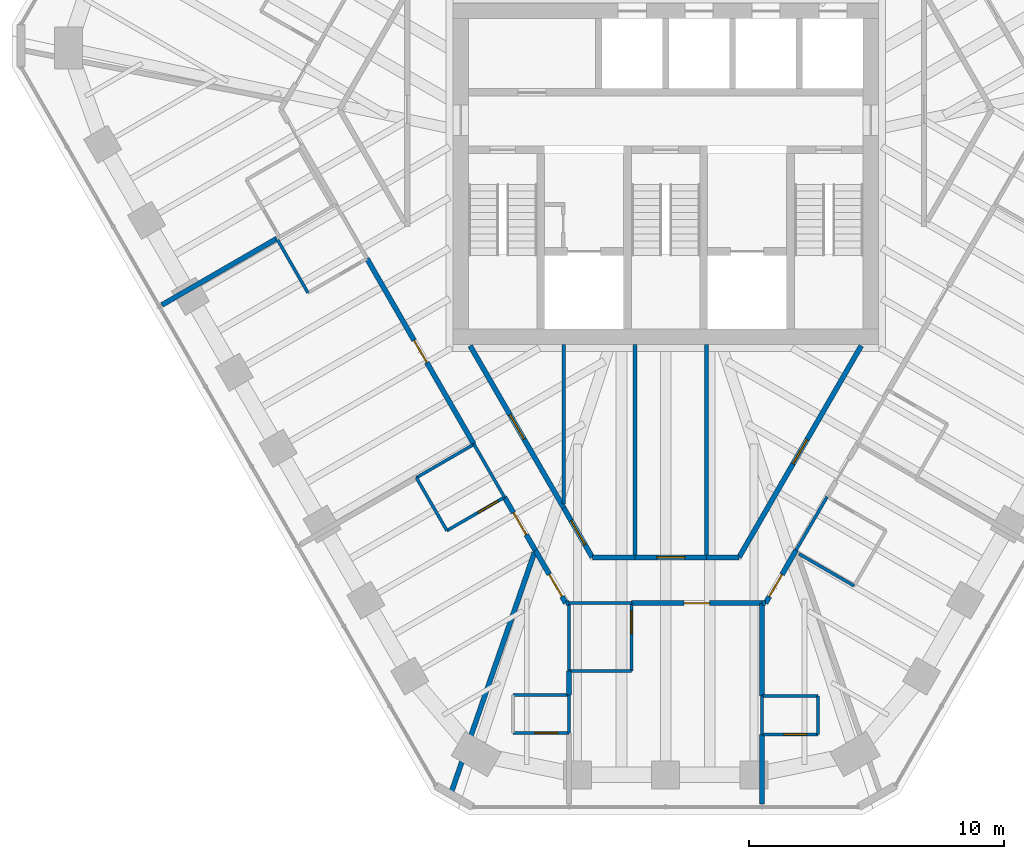
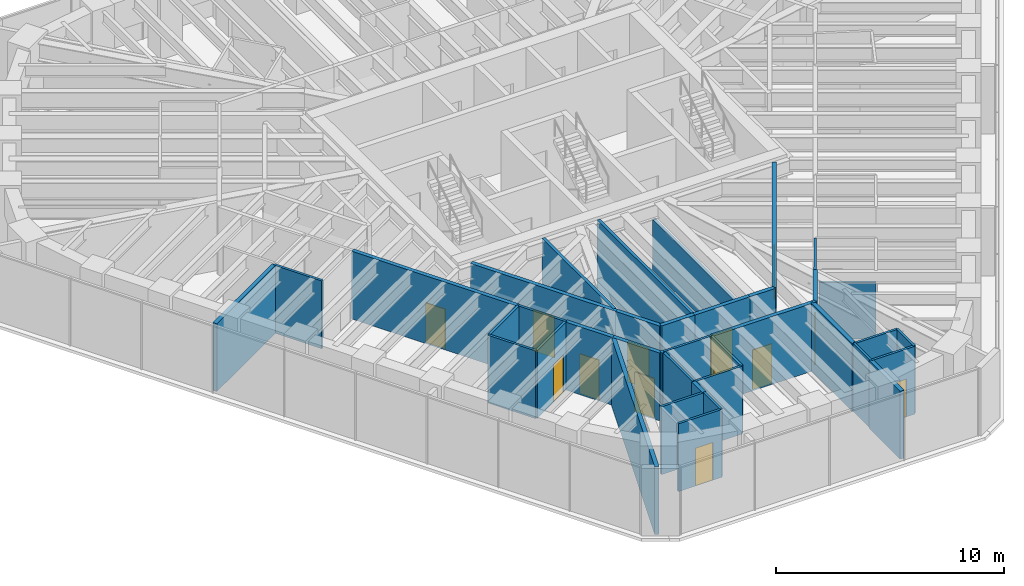
# One storey, part 9 of 14: 39 walls, 13 doors, 13 openings.
"""IFC4 building model written with IfcOpenShell, lengths in metres."""

from ifc_helpers import new_model, si_unit, direction, frame, frame_2d, origin, place, context, subcontext, project, spatial, rectangle, extrude, material, layer, layer_set, type_object, element, fill, save


model = new_model("IFC4")

# Units and contexts
model_context = context("Model", 3, precision=1e-05, world=origin(), true_north=direction((0.0, 1.0)))
body_context = subcontext(model_context, "Body", "Model", "MODEL_VIEW")
ifc_project = project(units=[si_unit("LENGTHUNIT", "METRE"), si_unit("AREAUNIT", "SQUARE_METRE"), si_unit("VOLUMEUNIT", "CUBIC_METRE"), si_unit("PLANEANGLEUNIT", "RADIAN"), si_unit("MASSUNIT", "GRAM", prefix="KILO")], contexts=[model_context])

# Site, building, storey
site_placement = place(None, origin())
site = spatial("IfcSite", under=ifc_project, at=site_placement, CompositionType="ELEMENT")
building_placement = place(site_placement, origin())
building = spatial("IfcBuilding", under=site, at=building_placement, Name="Sandreach Pilgrim Tower", CompositionType="ELEMENT")
storey_placement = place(building_placement, frame((0.0, 0.0, 295.0)))
storey = spatial("IfcBuildingStorey", under=building, at=storey_placement, Name="L74", CompositionType="ELEMENT", Elevation=295.0)

# Walls
ifc_material_1 = material(Name="Gypsum board on steel studs", Category="steel")
ifc_layer_1 = layer(ifc_material_1, 0.14990234375)
ifc_layer_set_1 = layer_set([ifc_layer_1], Name="Back of house wall 150")
wall_type_1 = type_object("IfcWallType", Name="Back of house wall 150", PredefinedType="PARTITIONING", material=ifc_layer_set_1)
wall_1_placement = place(storey_placement, frame((-4.0, -6.699951171875, 0.0), z_axis=(0.0, 0.0, 1.0), x_axis=(0.0, -1.0, 0.0)))
element("IfcWall", 1, at=wall_1_placement, inside=storey, type_object=wall_type_1, Name="Back of house wall L74-049", PredefinedType="PARTITIONING", context=body_context, shape_type="SweptSolid", body=[
    extrude(rectangle(XDim=6.26513671875, YDim=0.14990234375, at=frame_2d((3.132568359375, 0.0))), origin(), (0.0, 0.0, 1.0), 3.639892578125),
])
wall_2_placement = place(storey_placement, frame((-1.199951171875, -6.699951171875, 0.0), z_axis=(0.0, 0.0, 1.0), x_axis=(0.0, -1.0, 0.0)))
element("IfcWall", 2, at=wall_2_placement, inside=storey, type_object=wall_type_1, Name="Back of house wall L74-063", PredefinedType="PARTITIONING", context=body_context, shape_type="SweptSolid", body=[
    extrude(rectangle(XDim=8.360107421875, YDim=0.14990234375, at=frame_2d((4.18017578125, 0.0))), origin(), (0.0, 0.0, 1.0), 3.639892578125),
])
wall_3_placement = place(storey_placement, frame((1.60009765625, -6.699951171875, 0.0), z_axis=(0.0, 0.0, 1.0), x_axis=(0.0, -1.0, 0.0)))
element("IfcWall", 3, at=wall_3_placement, inside=storey, type_object=wall_type_1, Name="Back of house wall L74-069", PredefinedType="PARTITIONING", context=body_context, shape_type="SweptSolid", body=[
    extrude(rectangle(XDim=8.360107421875, YDim=0.14990234375, at=frame_2d((4.18017578125, 0.0))), origin(), (0.0, 0.0, 1.0), 2.712890625),
])
ifc_material_2 = material(Name="Moisture-resistant gypsum board on steel studs", Category="steel")
ifc_layer_2 = layer(ifc_material_2, 0.1201171875)
ifc_layer_set_2 = layer_set([ifc_layer_2], Name="Bathroom partition 120")
wall_type_2 = type_object("IfcWallType", Name="Bathroom partition 120", PredefinedType="PARTITIONING", material=ifc_layer_set_2)
wall_4_placement = place(storey_placement, frame((-15.27001953125, -2.5400390625, 0.0), z_axis=(0.0, 0.0, 1.0), x_axis=(0.497027744361, -0.86773464915, 0.0)))
element("IfcWall", 4, at=wall_4_placement, inside=storey, type_object=wall_type_2, Name="Bathroom partition L74-008", PredefinedType="PARTITIONING", context=body_context, shape_type="SweptSolid", body=[
    extrude(rectangle(XDim=2.45458984375, YDim=0.1201171875, at=frame_2d((1.227294921875, 0.0))), origin(), (0.0, 0.0, 1.0), 3.639892578125),
])
wall_5_placement = place(storey_placement, frame((-9.7900390625, -11.929931640625, 0.0), z_axis=(0.0, 0.0, 1.0), x_axis=(0.499693115345, -0.866202511239, 0.0)))
element("IfcWall", 5, at=wall_5_placement, inside=storey, type_object=wall_type_2, Name="Bathroom partition L74-031", PredefinedType="PARTITIONING", context=body_context, shape_type="SweptSolid", body=[
    extrude(rectangle(XDim=2.4013671875, YDim=0.1201171875, at=frame_2d((1.20068359375, 0.0))), origin(), (0.0, 0.0, 1.0), 3.639892578125),
])
wall_6_placement = place(storey_placement, frame((-9.7900390625, -11.929931640625, 0.0), z_axis=(0.0, 0.0, 1.0), x_axis=(0.865195830568, 0.501434118073, 0.0)))
element("IfcWall", 6, at=wall_6_placement, inside=storey, type_object=wall_type_2, Name="Bathroom partition L74-032", PredefinedType="PARTITIONING", context=body_context, shape_type="SweptSolid", body=[
    extrude(rectangle(XDim=2.612060546875, YDim=0.1201171875, at=frame_2d((1.30615234375, 0.0))), origin(), (0.0, 0.0, 1.0), 3.639892578125),
])

# Wall, opening, door
wall_7_placement = place(storey_placement, frame((-8.590087890625, -14.010009765625, 0.0), z_axis=(0.0, 0.0, 1.0), x_axis=(0.865155281359, 0.50150407689, 0.0)))
wall_7 = element("IfcWall", 7, at=wall_7_placement, inside=storey, type_object=wall_type_2, Name="Bathroom partition L74-033", PredefinedType="PARTITIONING", context=body_context, shape_type="SweptSolid", body=[
    extrude(rectangle(XDim=2.6123046875, YDim=0.1201171875, at=frame_2d((1.30615234375, 0.0))), origin(), (0.0, 0.0, 1.0), 3.639892578125),
])
opening_1_placement = place(wall_7_placement, frame((1.412109375, 0.0, 0.0)))
opening_1 = element("IfcOpeningElement", 8, at=opening_1_placement, cuts=wall_7, Name="Opening D09-13B", PredefinedType="OPENING", context=body_context, shape_type="SweptSolid", body=[
    extrude(rectangle(XDim=0.89990234375, YDim=2.030029296875, at=frame_2d((0.449951171875, 1.01513671875))), frame((0.0, 0.06005859375, 0.0), z_axis=(0.0, -1.0, 0.0), x_axis=(1.0, 0.0, 0.0)), (0.0, 0.0, 1.0), 0.1201171875),
])
ifc_material_3 = material(Name="Timber door, steel frame", Category="steel")
door_type_1 = type_object("IfcDoorType", Name="Bathroom door", OperationType="SINGLE_SWING_LEFT", PredefinedType="DOOR", material=ifc_material_3)
door_1_placement = place(opening_1_placement, origin())
door_1 = element("IfcDoor", 9, at=door_1_placement, inside=storey, type_object=door_type_1, Name="Door 7413B", OperationType="SINGLE_SWING_RIGHT", OverallHeight=2.030029296875, OverallWidth=0.89990234375, PredefinedType="DOOR", context=body_context, shape_type="SweptSolid", body=[
    extrude(rectangle(XDim=0.89990234375, YDim=2.030029296875, at=frame_2d((0.449951171875, 1.01513671875))), frame((0.0, 0.02490234375, 0.0), z_axis=(0.0, -1.0, 0.0), x_axis=(1.0, 0.0, 0.0)), (0.0, 0.0, 1.0), 0.050048828125),
])
fill(opening_1, door_1)

# Wall
wall_8_placement = place(storey_placement, frame((-7.530029296875, -10.6201171875, 0.0), z_axis=(0.0, 0.0, 1.0), x_axis=(0.499737123639, -0.866177122335, 0.0)))
element("IfcWall", 10, at=wall_8_placement, inside=storey, type_object=wall_type_2, Name="Bathroom partition L74-039", PredefinedType="PARTITIONING", context=body_context, shape_type="SweptSolid", body=[
    extrude(rectangle(XDim=2.401123046875, YDim=0.1201171875, at=frame_2d((1.20068359375, 0.0))), origin(), (0.0, 0.0, 1.0), 3.639892578125),
])

# Wall, opening, door
wall_9_placement = place(storey_placement, frame((-5.989990234375, -21.9599609375, 0.0), z_axis=(0.0, 0.0, 1.0), x_axis=(1.0, 0.0, 0.0)))
wall_9 = element("IfcWall", 11, at=wall_9_placement, inside=storey, type_object=wall_type_2, Name="Bathroom partition L74-042", PredefinedType="PARTITIONING", context=body_context, shape_type="SweptSolid", body=[
    extrude(rectangle(XDim=2.199951171875, YDim=0.1201171875, at=frame_2d((1.10009765625, 0.0))), origin(), (0.0, 0.0, 1.0), 3.639892578125),
])
opening_2_placement = place(wall_9_placement, frame((0.85009765625, 0.0, 0.0)))
opening_2 = element("IfcOpeningElement", 12, at=opening_2_placement, cuts=wall_9, Name="Opening D09-12B", PredefinedType="OPENING", context=body_context, shape_type="SweptSolid", body=[
    extrude(rectangle(XDim=0.89990234375, YDim=2.030029296875, at=frame_2d((0.449951171875, 1.01513671875))), frame((0.0, 0.06005859375, 0.0), z_axis=(0.0, -1.0, 0.0), x_axis=(1.0, 0.0, 0.0)), (0.0, 0.0, 1.0), 0.1201171875),
])
door_2_placement = place(opening_2_placement, origin())
door_2 = element("IfcDoor", 13, at=door_2_placement, inside=storey, type_object=door_type_1, Name="Door 7412B", OperationType="SINGLE_SWING_RIGHT", OverallHeight=2.030029296875, OverallWidth=0.89990234375, PredefinedType="DOOR", context=body_context, shape_type="SweptSolid", body=[
    extrude(rectangle(XDim=0.89990234375, YDim=2.030029296875, at=frame_2d((0.449951171875, 1.01513671875))), frame((0.0, 0.02490234375, 0.0), z_axis=(0.0, -1.0, 0.0), x_axis=(1.0, 0.0, 0.0)), (0.0, 0.0, 1.0), 0.050048828125),
])
fill(opening_2, door_2)

# Walls
wall_10_placement = place(storey_placement, frame((-3.7900390625, -21.9599609375, 0.0), z_axis=(0.0, 0.0, 1.0), x_axis=(0.0, 1.0, 0.0)))
element("IfcWall", 14, at=wall_10_placement, inside=storey, type_object=wall_type_2, Name="Bathroom partition L74-052", PredefinedType="PARTITIONING", context=body_context, shape_type="SweptSolid", body=[
    extrude(rectangle(XDim=1.5, YDim=0.1201171875, at=frame_2d((0.75, 0.0))), origin(), (0.0, 0.0, 1.0), 3.639892578125),
])
wall_11_placement = place(storey_placement, frame((-3.7900390625, -20.4599609375, 0.0), z_axis=(0.0, 0.0, 1.0), x_axis=(-1.0, 0.0, 0.0)))
element("IfcWall", 15, at=wall_11_placement, inside=storey, type_object=wall_type_2, Name="Bathroom partition L74-053", PredefinedType="PARTITIONING", context=body_context, shape_type="SweptSolid", body=[
    extrude(rectangle(XDim=2.199951171875, YDim=0.1201171875, at=frame_2d((1.10009765625, 0.0))), origin(), (0.0, 0.0, 1.0), 3.639892578125),
])
wall_12_placement = place(storey_placement, frame((-3.7900390625, -19.530029296875, 0.0), z_axis=(0.0, 0.0, 1.0), x_axis=(0.0, 1.0, 0.0)))
element("IfcWall", 16, at=wall_12_placement, inside=storey, type_object=wall_type_2, Name="Bathroom partition L74-055", PredefinedType="PARTITIONING", context=body_context, shape_type="SweptSolid", body=[
    extrude(rectangle(XDim=2.669921875, YDim=0.1201171875, at=frame_2d((1.3349609375, 0.0))), origin(), (0.0, 0.0, 1.0), 3.639892578125),
])
for number, where, z_axis, x_axis, name in (
    (17, (-3.7900390625, -19.530029296875, 0.0), (0.0, 0.0, 1.0), (1.0, 0.0, 0.0), "Bathroom partition L74-056"),
    (18, (-3.7900390625, -16.860107421875, 0.0), (0.0, 0.0, 1.0), (1.0, 0.0, 0.0), "Bathroom partition L74-057"),
):
    element("IfcWall", number, at=place(storey_placement, frame(where, z_axis=z_axis, x_axis=x_axis)), inside=storey, type_object=wall_type_2, Name=name, PredefinedType="PARTITIONING", context=body_context, shape_type="SweptSolid", body=[
        extrude(rectangle(XDim=2.449951171875, YDim=0.1201171875, at=frame_2d((1.22509765625, 0.0))), origin(), (0.0, 0.0, 1.0), 3.639892578125),
    ])

# Wall, opening, door
wall_13_placement = place(storey_placement, frame((-1.340087890625, -19.530029296875, 0.0), z_axis=(0.0, 0.0, 1.0), x_axis=(0.0, 1.0, 0.0)))
wall_13 = element("IfcWall", 19, at=wall_13_placement, inside=storey, type_object=wall_type_2, Name="Bathroom partition L74-060", PredefinedType="PARTITIONING", context=body_context, shape_type="SweptSolid", body=[
    extrude(rectangle(XDim=2.669921875, YDim=0.1201171875, at=frame_2d((1.3349609375, 0.0))), origin(), (0.0, 0.0, 1.0), 3.639892578125),
])
opening_3_placement = place(wall_13_placement, frame((1.469970703125, 0.0, 0.0)))
opening_3 = element("IfcOpeningElement", 20, at=opening_3_placement, cuts=wall_13, Name="Opening D09-11B", PredefinedType="OPENING", context=body_context, shape_type="SweptSolid", body=[
    extrude(rectangle(XDim=0.89990234375, YDim=2.030029296875, at=frame_2d((0.449951171875, 1.01513671875))), frame((0.0, 0.06005859375, 0.0), z_axis=(0.0, -1.0, 0.0), x_axis=(1.0, 0.0, 0.0)), (0.0, 0.0, 1.0), 0.1201171875),
])
door_3_placement = place(opening_3_placement, origin())
door_3 = element("IfcDoor", 21, at=door_3_placement, inside=storey, type_object=door_type_1, Name="Door 7411B", OperationType="SINGLE_SWING_RIGHT", OverallHeight=2.030029296875, OverallWidth=0.89990234375, PredefinedType="DOOR", context=body_context, shape_type="SweptSolid", body=[
    extrude(rectangle(XDim=0.89990234375, YDim=2.030029296875, at=frame_2d((0.449951171875, 1.01513671875))), frame((0.0, 0.02490234375, 0.0), z_axis=(0.0, -1.0, 0.0), x_axis=(1.0, 0.0, 0.0)), (0.0, 0.0, 1.0), 0.050048828125),
])
fill(opening_3, door_3)

# Wall
wall_14_placement = place(storey_placement, frame((3.7900390625, -22.010009765625, 0.0), z_axis=(0.0, 0.0, 1.0), x_axis=(0.0, 1.0, 0.0)))
element("IfcWall", 22, at=wall_14_placement, inside=storey, type_object=wall_type_2, Name="Bathroom partition L74-074", PredefinedType="PARTITIONING", context=body_context, shape_type="SweptSolid", body=[
    extrude(rectangle(XDim=1.5, YDim=0.1201171875, at=frame_2d((0.75, 0.0))), origin(), (0.0, 0.0, 1.0), 3.639892578125),
])

# Wall, opening, door
wall_15_placement = place(storey_placement, frame((3.7900390625, -22.010009765625, 0.0), z_axis=(0.0, 0.0, 1.0), x_axis=(1.0, 0.0, 0.0)))
wall_15 = element("IfcWall", 23, at=wall_15_placement, inside=storey, type_object=wall_type_2, Name="Bathroom partition L74-075", PredefinedType="PARTITIONING", context=body_context, shape_type="SweptSolid", body=[
    extrude(rectangle(XDim=2.199951171875, YDim=0.1201171875, at=frame_2d((1.10009765625, 0.0))), origin(), (0.0, 0.0, 1.0), 3.639892578125),
])
opening_4_placement = place(wall_15_placement, frame((0.85009765625, 0.0, 0.0)))
opening_4 = element("IfcOpeningElement", 24, at=opening_4_placement, cuts=wall_15, Name="Opening D09-10B", PredefinedType="OPENING", context=body_context, shape_type="SweptSolid", body=[
    extrude(rectangle(XDim=0.89990234375, YDim=2.030029296875, at=frame_2d((0.449951171875, 1.01513671875))), frame((0.0, 0.06005859375, 0.0), z_axis=(0.0, -1.0, 0.0), x_axis=(1.0, 0.0, 0.0)), (0.0, 0.0, 1.0), 0.1201171875),
])
door_4_placement = place(opening_4_placement, origin())
door_4 = element("IfcDoor", 25, at=door_4_placement, inside=storey, type_object=door_type_1, Name="Door 7410B", OperationType="SINGLE_SWING_RIGHT", OverallHeight=2.030029296875, OverallWidth=0.89990234375, PredefinedType="DOOR", context=body_context, shape_type="SweptSolid", body=[
    extrude(rectangle(XDim=0.89990234375, YDim=2.030029296875, at=frame_2d((0.449951171875, 1.01513671875))), frame((0.0, 0.02490234375, 0.0), z_axis=(0.0, -1.0, 0.0), x_axis=(1.0, 0.0, 0.0)), (0.0, 0.0, 1.0), 0.050048828125),
])
fill(opening_4, door_4)

# Walls
wall_16_placement = place(storey_placement, frame((5.1201171875, -14.780029296875, 0.0), z_axis=(0.0, 0.0, 1.0), x_axis=(0.502307685327, 0.86468895521, 0.0)))
element("IfcWall", 26, at=wall_16_placement, inside=storey, type_object=wall_type_2, Name="Bathroom partition L74-079", PredefinedType="PARTITIONING", context=body_context, shape_type="SweptSolid", body=[
    extrude(rectangle(XDim=2.4287109375, YDim=0.1201171875, at=frame_2d((1.21435546875, 0.0))), origin(), (0.0, 0.0, 1.0), 3.639892578125),
])
wall_17_placement = place(storey_placement, frame((5.2333984375, -14.922607421875, 0.0), z_axis=(0.0, 0.0, 1.0), x_axis=(0.864900876675, -0.501942699445, 0.0)))
element("IfcWall", 27, at=wall_17_placement, inside=storey, type_object=wall_type_2, Name="Bathroom partition L74-080", PredefinedType="PARTITIONING", context=body_context, shape_type="SweptSolid", body=[
    extrude(rectangle(XDim=2.5048828125, YDim=0.1201171875, at=frame_2d((1.25244140625, 0.0))), origin(), (0.0, 0.0, 1.0), 3.022705078125),
])
wall_18_placement = place(storey_placement, frame((5.989990234375, -22.010009765625, 0.0), z_axis=(0.0, 0.0, 1.0), x_axis=(0.0, 1.0, 0.0)))
element("IfcWall", 28, at=wall_18_placement, inside=storey, type_object=wall_type_2, Name="Bathroom partition L74-088", PredefinedType="PARTITIONING", context=body_context, shape_type="SweptSolid", body=[
    extrude(rectangle(XDim=1.5, YDim=0.1201171875, at=frame_2d((0.75, 0.0))), origin(), (0.0, 0.0, 1.0), 3.639892578125),
])
wall_19_placement = place(storey_placement, frame((5.989990234375, -20.510009765625, 0.0), z_axis=(0.0, 0.0, 1.0), x_axis=(-1.0, 0.0, 0.0)))
element("IfcWall", 29, at=wall_19_placement, inside=storey, type_object=wall_type_2, Name="Bathroom partition L74-089", PredefinedType="PARTITIONING", context=body_context, shape_type="SweptSolid", body=[
    extrude(rectangle(XDim=2.199951171875, YDim=0.1201171875, at=frame_2d((1.10009765625, 0.0))), origin(), (0.0, 0.0, 1.0), 3.639892578125),
])

# Wall, opening, door
ifc_material_4 = material(Name="Gypsum board on steel studs, two layers each side", Category="steel")
ifc_layer_3 = layer(ifc_material_4, 0.199951171875)
ifc_layer_set_3 = layer_set([ifc_layer_3], Name="Corridor wall 200")
wall_type_3 = type_object("IfcWallType", Name="Corridor wall 200", PredefinedType="PARTITIONING", material=ifc_layer_set_3)
wall_20_placement = place(storey_placement, frame((-11.72998046875, -3.330078125, 0.0), z_axis=(0.0, 0.0, 1.0), x_axis=(0.499214067722, -0.866478686748, 0.0)))
wall_20 = element("IfcWall", 30, at=wall_20_placement, inside=storey, type_object=wall_type_3, Name="Corridor wall L74-025", PredefinedType="PARTITIONING", context=body_context, shape_type="SweptSolid", body=[
    extrude(rectangle(XDim=8.4130859375, YDim=0.199951171875, at=frame_2d((4.20654296875, 0.0))), origin(), (0.0, 0.0, 1.0), 3.639892578125),
])
opening_5_placement = place(wall_20_placement, frame((3.706787109375, 0.0, 0.0)))
opening_5 = element("IfcOpeningElement", 31, at=opening_5_placement, cuts=wall_20, Name="Opening D10-14", PredefinedType="OPENING", context=body_context, shape_type="SweptSolid", body=[
    extrude(rectangle(XDim=1.0, YDim=2.1298828125, at=frame_2d((0.5, 1.06494140625))), frame((0.0, 0.10009765625, 0.0), z_axis=(0.0, -1.0, 0.0), x_axis=(1.0, 0.0, 0.0)), (0.0, 0.0, 1.0), 0.199951171875),
])
ifc_material_5 = material(Name="Steel door and frame", Category="steel")
door_type_2 = type_object("IfcDoorType", Name="Guest room entry door", OperationType="SINGLE_SWING_LEFT", PredefinedType="DOOR", material=ifc_material_5)
door_5_placement = place(opening_5_placement, origin())
door_5 = element("IfcDoor", 32, at=door_5_placement, inside=storey, type_object=door_type_2, Name="Door 7414", OperationType="SINGLE_SWING_LEFT", OverallHeight=2.1298828125, OverallWidth=1.0, PredefinedType="DOOR", context=body_context, shape_type="SweptSolid", body=[
    extrude(rectangle(XDim=1.0, YDim=2.1298828125, at=frame_2d((0.5, 1.06494140625))), frame((0.0, 0.02490234375, 0.0), z_axis=(0.0, -1.0, 0.0), x_axis=(1.0, 0.0, 0.0)), (0.0, 0.0, 1.0), 0.050048828125),
])
fill(opening_5, door_5)

wall_21_placement = place(storey_placement, frame((-6.330078125, -12.699951171875, 0.0), z_axis=(0.0, 0.0, 1.0), x_axis=(0.502810888564, -0.864396442809, 0.0)))
wall_21 = element("IfcWall", 33, at=wall_21_placement, inside=storey, type_object=wall_type_3, Name="Corridor wall L74-041", PredefinedType="PARTITIONING", context=body_context, shape_type="SweptSolid", body=[
    extrude(rectangle(XDim=2.406494140625, YDim=0.199951171875, at=frame_2d((1.203125, 0.0))), origin(), (0.0, 0.0, 1.0), 3.639892578125),
])
opening_6_placement = place(wall_21_placement, frame((0.703125, 0.0, 0.0)))
opening_6 = element("IfcOpeningElement", 34, at=opening_6_placement, cuts=wall_21, Name="Opening D10-13", PredefinedType="OPENING", context=body_context, shape_type="SweptSolid", body=[
    extrude(rectangle(XDim=1.0, YDim=2.1298828125, at=frame_2d((0.5, 1.06494140625))), frame((0.0, 0.10009765625, 0.0), z_axis=(0.0, -1.0, 0.0), x_axis=(1.0, 0.0, 0.0)), (0.0, 0.0, 1.0), 0.199951171875),
])
door_6_placement = place(opening_6_placement, origin())
door_6 = element("IfcDoor", 35, at=door_6_placement, inside=storey, type_object=door_type_2, Name="Door 7413", OperationType="SINGLE_SWING_LEFT", OverallHeight=2.1298828125, OverallWidth=1.0, PredefinedType="DOOR", context=body_context, shape_type="SweptSolid", body=[
    extrude(rectangle(XDim=1.0, YDim=2.1298828125, at=frame_2d((0.5, 1.06494140625))), frame((0.0, 0.02490234375, 0.0), z_axis=(0.0, -1.0, 0.0), x_axis=(1.0, 0.0, 0.0)), (0.0, 0.0, 1.0), 0.050048828125),
])
fill(opening_6, door_6)

wall_22_placement = place(storey_placement, frame((-5.1201171875, -14.780029296875, 0.0), z_axis=(0.0, 0.0, 1.0), x_axis=(0.499813401482, -0.866133109688, 0.0)))
wall_22 = element("IfcWall", 36, at=wall_22_placement, inside=storey, type_object=wall_type_3, Name="Corridor wall L74-047", PredefinedType="PARTITIONING", context=body_context, shape_type="SweptSolid", body=[
    extrude(rectangle(XDim=2.4013671875, YDim=0.199951171875, at=frame_2d((1.20068359375, 0.0))), origin(), (0.0, 0.0, 1.0), 3.639892578125),
])
opening_7_placement = place(wall_22_placement, frame((1.10009765625, 0.0, 0.0)))
opening_7 = element("IfcOpeningElement", 37, at=opening_7_placement, cuts=wall_22, Name="Opening D10-12", PredefinedType="OPENING", context=body_context, shape_type="SweptSolid", body=[
    extrude(rectangle(XDim=1.0, YDim=2.1298828125, at=frame_2d((0.5, 1.06494140625))), frame((0.0, 0.10009765625, 0.0), z_axis=(0.0, -1.0, 0.0), x_axis=(1.0, 0.0, 0.0)), (0.0, 0.0, 1.0), 0.199951171875),
])
door_7_placement = place(opening_7_placement, origin())
door_7 = element("IfcDoor", 38, at=door_7_placement, inside=storey, type_object=door_type_2, Name="Door 7412", OperationType="SINGLE_SWING_RIGHT", OverallHeight=2.1298828125, OverallWidth=1.0, PredefinedType="DOOR", context=body_context, shape_type="SweptSolid", body=[
    extrude(rectangle(XDim=1.0, YDim=2.1298828125, at=frame_2d((0.5, 1.06494140625))), frame((0.0, 0.02490234375, 0.0), z_axis=(0.0, -1.0, 0.0), x_axis=(1.0, 0.0, 0.0)), (0.0, 0.0, 1.0), 0.050048828125),
])
fill(opening_7, door_7)

wall_23_placement = place(storey_placement, frame((-4.0, -13.1201171875, 0.0), z_axis=(0.0, 0.0, 1.0), x_axis=(-0.500218436225, 0.865899252835, 0.0)))
wall_23 = element("IfcWall", 39, at=wall_23_placement, inside=storey, type_object=wall_type_3, Name="Corridor wall L74-048", PredefinedType="PARTITIONING", context=body_context, shape_type="SweptSolid", body=[
    extrude(rectangle(XDim=7.356689453125, YDim=0.199951171875, at=frame_2d((3.67822265625, 0.0))), origin(), (0.0, 0.0, 1.0), 3.639892578125),
])
opening_8_placement = place(wall_23_placement, frame((3.12841796875, 0.0, 0.0)))
opening_8 = element("IfcOpeningElement", 40, at=opening_8_placement, cuts=wall_23, Name="Opening D11H-S1", PredefinedType="OPENING", context=body_context, shape_type="SweptSolid", body=[
    extrude(rectangle(XDim=1.10009765625, YDim=2.199951171875, at=frame_2d((0.550048828125, 1.10009765625))), frame((0.0, 0.10009765625, 0.0), z_axis=(0.0, -1.0, 0.0), x_axis=(1.0, 0.0, 0.0)), (0.0, 0.0, 1.0), 0.199951171875),
])
ifc_material_6 = material(Name="Steel door and frame", Category="steel")
door_type_3 = type_object("IfcDoorType", Name="Back of house door", OperationType="SINGLE_SWING_LEFT", PredefinedType="DOOR", material=ifc_material_6)
door_8_placement = place(opening_8_placement, origin())
door_8 = element("IfcDoor", 41, at=door_8_placement, inside=storey, type_object=door_type_3, Name="Door 74S1", OperationType="SINGLE_SWING_LEFT", OverallHeight=2.199951171875, OverallWidth=1.10009765625, PredefinedType="DOOR", context=body_context, shape_type="SweptSolid", body=[
    extrude(rectangle(XDim=1.10009765625, YDim=2.199951171875, at=frame_2d((0.550048828125, 1.10009765625))), frame((0.0, 0.02490234375, 0.0), z_axis=(0.0, -1.0, 0.0), x_axis=(1.0, 0.0, 0.0)), (0.0, 0.0, 1.0), 0.050048828125),
])
fill(opening_8, door_8)

# Wall
wall_24_placement = place(storey_placement, frame((-3.919921875, -16.860107421875, 0.0), z_axis=(0.0, 0.0, 1.0), x_axis=(1.0, 0.0, 0.0)))
element("IfcWall", 42, at=wall_24_placement, inside=storey, type_object=wall_type_3, Name="Corridor wall L74-050", PredefinedType="PARTITIONING", context=body_context, shape_type="SweptSolid", body=[
    extrude(rectangle(XDim=0.1298828125, YDim=0.199951171875, at=frame_2d((0.06494140625, 0.0))), origin(), (0.0, 0.0, 1.0), 3.639892578125),
])

# Wall, opening, door
wall_25_placement = place(storey_placement, frame((-2.8798828125, -15.06005859375, 0.0), z_axis=(0.0, 0.0, 1.0), x_axis=(-0.499983441833, 0.866034963436, 0.0)))
wall_25 = element("IfcWall", 43, at=wall_25_placement, inside=storey, type_object=wall_type_3, Name="Corridor wall L74-058", PredefinedType="PARTITIONING", context=body_context, shape_type="SweptSolid", body=[
    extrude(rectangle(XDim=2.240234375, YDim=0.199951171875, at=frame_2d((1.1201171875, 0.0))), origin(), (0.0, 0.0, 1.0), 3.639892578125),
])
opening_9_placement = place(wall_25_placement, frame((0.570068359375, 0.0, 0.0)))
opening_9 = element("IfcOpeningElement", 44, at=opening_9_placement, cuts=wall_25, Name="Opening D11H-S2", PredefinedType="OPENING", context=body_context, shape_type="SweptSolid", body=[
    extrude(rectangle(XDim=1.10009765625, YDim=2.199951171875, at=frame_2d((0.550048828125, 1.10009765625))), frame((0.0, 0.10009765625, 0.0), z_axis=(0.0, -1.0, 0.0), x_axis=(1.0, 0.0, 0.0)), (0.0, 0.0, 1.0), 0.199951171875),
])
door_9_placement = place(opening_9_placement, origin())
door_9 = element("IfcDoor", 45, at=door_9_placement, inside=storey, type_object=door_type_3, Name="Door 74S2", OperationType="SINGLE_SWING_LEFT", OverallHeight=2.199951171875, OverallWidth=1.10009765625, PredefinedType="DOOR", context=body_context, shape_type="SweptSolid", body=[
    extrude(rectangle(XDim=1.10009765625, YDim=2.199951171875, at=frame_2d((0.550048828125, 1.10009765625))), frame((0.0, 0.02490234375, 0.0), z_axis=(0.0, -1.0, 0.0), x_axis=(1.0, 0.0, 0.0)), (0.0, 0.0, 1.0), 0.050048828125),
])
fill(opening_9, door_9)

wall_26_placement = place(storey_placement, frame((-1.340087890625, -16.860107421875, 0.0), z_axis=(0.0, 0.0, 1.0), x_axis=(1.0, 0.0, 0.0)))
wall_26 = element("IfcWall", 46, at=wall_26_placement, inside=storey, type_object=wall_type_3, Name="Corridor wall L74-061", PredefinedType="PARTITIONING", context=body_context, shape_type="SweptSolid", body=[
    extrude(rectangle(XDim=5.130126953125, YDim=0.199951171875, at=frame_2d((2.56494140625, 0.0))), origin(), (0.0, 0.0, 1.0), 3.639892578125),
])
opening_10_placement = place(wall_26_placement, frame((2.06494140625, 0.0, 0.0)))
opening_10 = element("IfcOpeningElement", 47, at=opening_10_placement, cuts=wall_26, Name="Opening D10-11", PredefinedType="OPENING", context=body_context, shape_type="SweptSolid", body=[
    extrude(rectangle(XDim=1.0, YDim=2.1298828125, at=frame_2d((0.5, 1.06494140625))), frame((0.0, 0.10009765625, 0.0), z_axis=(0.0, -1.0, 0.0), x_axis=(1.0, 0.0, 0.0)), (0.0, 0.0, 1.0), 0.199951171875),
])
door_10_placement = place(opening_10_placement, origin())
door_10 = element("IfcDoor", 48, at=door_10_placement, inside=storey, type_object=door_type_2, Name="Door 7411", OperationType="SINGLE_SWING_LEFT", OverallHeight=2.1298828125, OverallWidth=1.0, PredefinedType="DOOR", context=body_context, shape_type="SweptSolid", body=[
    extrude(rectangle(XDim=1.0, YDim=2.1298828125, at=frame_2d((0.5, 1.06494140625))), frame((0.0, 0.02490234375, 0.0), z_axis=(0.0, -1.0, 0.0), x_axis=(1.0, 0.0, 0.0)), (0.0, 0.0, 1.0), 0.050048828125),
])
fill(opening_10, door_10)

# Wall
wall_27_placement = place(storey_placement, frame((-1.199951171875, -15.06005859375, 0.0), z_axis=(0.0, 0.0, 1.0), x_axis=(-1.0, 0.0, 0.0)))
element("IfcWall", 49, at=wall_27_placement, inside=storey, type_object=wall_type_3, Name="Corridor wall L74-062", PredefinedType="PARTITIONING", context=body_context, shape_type="SweptSolid", body=[
    extrude(rectangle(XDim=1.679931640625, YDim=0.199951171875, at=frame_2d((0.83984375, 0.0))), origin(), (0.0, 0.0, 1.0), 3.639892578125),
])

# Wall, opening, door
wall_28_placement = place(storey_placement, frame((1.60009765625, -15.06005859375, 0.0), z_axis=(0.0, 0.0, 1.0), x_axis=(-1.0, 0.0, 0.0)))
wall_28 = element("IfcWall", 50, at=wall_28_placement, inside=storey, type_object=wall_type_3, Name="Corridor wall L74-068", PredefinedType="PARTITIONING", context=body_context, shape_type="SweptSolid", body=[
    extrude(rectangle(XDim=2.800048828125, YDim=0.199951171875, at=frame_2d((1.39990234375, 0.0))), origin(), (0.0, 0.0, 1.0), 3.639892578125),
])
opening_11_placement = place(wall_28_placement, frame((0.85009765625, 0.0, 0.0)))
opening_11 = element("IfcOpeningElement", 51, at=opening_11_placement, cuts=wall_28, Name="Opening D11H-S3", PredefinedType="OPENING", context=body_context, shape_type="SweptSolid", body=[
    extrude(rectangle(XDim=1.10009765625, YDim=2.199951171875, at=frame_2d((0.550048828125, 1.10009765625))), frame((0.0, 0.10009765625, 0.0), z_axis=(0.0, -1.0, 0.0), x_axis=(1.0, 0.0, 0.0)), (0.0, 0.0, 1.0), 0.199951171875),
])
door_11_placement = place(opening_11_placement, origin())
door_11 = element("IfcDoor", 52, at=door_11_placement, inside=storey, type_object=door_type_3, Name="Door 74S3", OperationType="SINGLE_SWING_LEFT", OverallHeight=2.199951171875, OverallWidth=1.10009765625, PredefinedType="DOOR", context=body_context, shape_type="SweptSolid", body=[
    extrude(rectangle(XDim=1.10009765625, YDim=2.199951171875, at=frame_2d((0.550048828125, 1.10009765625))), frame((0.0, 0.02490234375, 0.0), z_axis=(0.0, -1.0, 0.0), x_axis=(1.0, 0.0, 0.0)), (0.0, 0.0, 1.0), 0.050048828125),
])
fill(opening_11, door_11)

# Walls
wall_29_placement = place(storey_placement, frame((2.8798828125, -15.06005859375, 0.0), z_axis=(0.0, 0.0, 1.0), x_axis=(-1.0, 0.0, 0.0)))
element("IfcWall", 53, at=wall_29_placement, inside=storey, type_object=wall_type_3, Name="Corridor wall L74-070", PredefinedType="PARTITIONING", context=body_context, shape_type="SweptSolid", body=[
    extrude(rectangle(XDim=1.27978515625, YDim=0.199951171875, at=frame_2d((0.639892578125, 0.0))), origin(), (0.0, 0.0, 1.0), 3.639892578125),
])
wall_30_placement = place(storey_placement, frame((3.7900390625, -16.860107421875, 0.0), z_axis=(0.0, 0.0, 1.0), x_axis=(1.0, 0.0, 0.0)))
element("IfcWall", 54, at=wall_30_placement, inside=storey, type_object=wall_type_3, Name="Corridor wall L74-077", PredefinedType="PARTITIONING", context=body_context, shape_type="SweptSolid", body=[
    extrude(rectangle(XDim=0.1298828125, YDim=0.199951171875, at=frame_2d((0.06494140625, 0.0))), origin(), (0.0, 0.0, 1.0), 3.639892578125),
])

# Wall, opening, door
wall_31_placement = place(storey_placement, frame((3.919921875, -16.860107421875, 0.0), z_axis=(0.0, 0.0, 1.0), x_axis=(0.499693115345, 0.866202511239, 0.0)))
wall_31 = element("IfcWall", 55, at=wall_31_placement, inside=storey, type_object=wall_type_3, Name="Corridor wall L74-078", PredefinedType="PARTITIONING", context=body_context, shape_type="SweptSolid", body=[
    extrude(rectangle(XDim=2.4013671875, YDim=0.199951171875, at=frame_2d((1.20068359375, 0.0))), origin(), (0.0, 0.0, 1.0), 3.639892578125),
])
opening_12_placement = place(wall_31_placement, frame((0.300048828125, 0.0, 0.0)))
opening_12 = element("IfcOpeningElement", 56, at=opening_12_placement, cuts=wall_31, Name="Opening D10-10", PredefinedType="OPENING", context=body_context, shape_type="SweptSolid", body=[
    extrude(rectangle(XDim=1.0, YDim=2.1298828125, at=frame_2d((0.5, 1.06494140625))), frame((0.0, 0.10009765625, 0.0), z_axis=(0.0, -1.0, 0.0), x_axis=(1.0, 0.0, 0.0)), (0.0, 0.0, 1.0), 0.199951171875),
])
door_12_placement = place(opening_12_placement, origin())
door_12 = element("IfcDoor", 57, at=door_12_placement, inside=storey, type_object=door_type_2, Name="Door 7410", OperationType="SINGLE_SWING_LEFT", OverallHeight=2.1298828125, OverallWidth=1.0, PredefinedType="DOOR", context=body_context, shape_type="SweptSolid", body=[
    extrude(rectangle(XDim=1.0, YDim=2.1298828125, at=frame_2d((0.5, 1.06494140625))), frame((0.0, 0.02490234375, 0.0), z_axis=(0.0, -1.0, 0.0), x_axis=(1.0, 0.0, 0.0)), (0.0, 0.0, 1.0), 0.050048828125),
])
fill(opening_12, door_12)

wall_32_placement = place(storey_placement, frame((7.679931640625, -6.75, 0.0), z_axis=(0.0, 0.0, 1.0), x_axis=(-0.500174600737, -0.865924574532, 0.0)))
wall_32 = element("IfcWall", 58, at=wall_32_placement, inside=storey, type_object=wall_type_3, Name="Corridor wall L74-094", PredefinedType="PARTITIONING", context=body_context, shape_type="SweptSolid", body=[
    extrude(rectangle(XDim=9.5966796875, YDim=0.199951171875, at=frame_2d((4.79833984375, 0.0))), origin(), (0.0, 0.0, 1.0), 3.639892578125),
])
opening_13_placement = place(wall_32_placement, frame((4.248291015625, 0.0, 0.0)))
opening_13 = element("IfcOpeningElement", 59, at=opening_13_placement, cuts=wall_32, Name="Opening D11H-S4", PredefinedType="OPENING", context=body_context, shape_type="SweptSolid", body=[
    extrude(rectangle(XDim=1.10009765625, YDim=2.199951171875, at=frame_2d((0.550048828125, 1.10009765625))), frame((0.0, 0.10009765625, 0.0), z_axis=(0.0, -1.0, 0.0), x_axis=(1.0, 0.0, 0.0)), (0.0, 0.0, 1.0), 0.199951171875),
])
door_13_placement = place(opening_13_placement, origin())
door_13 = element("IfcDoor", 60, at=door_13_placement, inside=storey, type_object=door_type_3, Name="Door 74S4", OperationType="SINGLE_SWING_LEFT", OverallHeight=2.199951171875, OverallWidth=1.10009765625, PredefinedType="DOOR", context=body_context, shape_type="SweptSolid", body=[
    extrude(rectangle(XDim=1.10009765625, YDim=2.199951171875, at=frame_2d((0.550048828125, 1.10009765625))), frame((0.0, 0.02490234375, 0.0), z_axis=(0.0, -1.0, 0.0), x_axis=(1.0, 0.0, 0.0)), (0.0, 0.0, 1.0), 0.050048828125),
])
fill(opening_13, door_13)

# Walls
ifc_material_7 = material(Name="Double steel stud acoustic wall, gypsum board", Category="steel")
ifc_layer_4 = layer(ifc_material_7, 0.199951171875)
ifc_layer_set_4 = layer_set([ifc_layer_4], Name="Party wall 200")
wall_type_4 = type_object("IfcWallType", Name="Party wall 200", PredefinedType="PARTITIONING", material=ifc_layer_set_4)
wall_33_placement = place(storey_placement, frame((-19.7861328125, -5.14990234375, 0.0), z_axis=(0.0, 0.0, 1.0), x_axis=(0.865819112627, 0.500357136663, 0.0)))
element("IfcWall", 61, at=wall_33_placement, inside=storey, type_object=wall_type_4, Name="Party wall L74-003", PredefinedType="PARTITIONING", context=body_context, shape_type="SweptSolid", body=[
    extrude(rectangle(XDim=5.216064453125, YDim=0.199951171875, at=frame_2d((2.60791015625, 0.0))), origin(), (0.0, 0.0, 1.0), 3.639892578125),
])
wall_34_placement = place(storey_placement, frame((-8.4501953125, -24.381591796875, 0.0), z_axis=(0.0, 0.0, 1.0), x_axis=(0.327695764917, 0.944783300898, 0.0)))
element("IfcWall", 62, at=wall_34_placement, inside=storey, type_object=wall_type_4, Name="Party wall L74-036", PredefinedType="PARTITIONING", context=body_context, shape_type="SweptSolid", body=[
    extrude(rectangle(XDim=10.057861328125, YDim=0.199951171875, at=frame_2d((5.02880859375, 0.0))), origin(), (0.0, 0.0, 1.0), 3.639892578125),
])
wall_35_placement = place(storey_placement, frame((-3.7900390625, -20.4599609375, 0.0), z_axis=(0.0, 0.0, 1.0), x_axis=(0.0, 1.0, 0.0)))
element("IfcWall", 63, at=wall_35_placement, inside=storey, type_object=wall_type_4, Name="Party wall L74-054", PredefinedType="PARTITIONING", context=body_context, shape_type="SweptSolid", body=[
    extrude(rectangle(XDim=0.929931640625, YDim=0.199951171875, at=frame_2d((0.46484375, 0.0))), origin(), (0.0, 0.0, 1.0), 3.639892578125),
])
wall_36_placement = place(storey_placement, frame((3.7900390625, -24.739990234375, 0.0), z_axis=(0.0, 0.0, 1.0), x_axis=(0.0, 1.0, 0.0)))
element("IfcWall", 64, at=wall_36_placement, inside=storey, type_object=wall_type_4, Name="Party wall L74-073", PredefinedType="PARTITIONING", context=body_context, shape_type="SweptSolid", body=[
    extrude(rectangle(XDim=2.72998046875, YDim=0.199951171875, at=frame_2d((1.364990234375, 0.0))), origin(), (0.0, 0.0, 1.0), 3.639892578125),
])
wall_37_placement = place(storey_placement, frame((3.7900390625, -20.510009765625, 0.0), z_axis=(0.0, 0.0, 1.0), x_axis=(0.0, 1.0, 0.0)))
element("IfcWall", 65, at=wall_37_placement, inside=storey, type_object=wall_type_4, Name="Party wall L74-076", PredefinedType="PARTITIONING", context=body_context, shape_type="SweptSolid", body=[
    extrude(rectangle(XDim=3.639892578125, YDim=0.199951171875, at=frame_2d((1.81982421875, 0.0))), origin(), (0.0, 0.0, 1.0), 3.639892578125),
])

save(model, "model.ifc")
